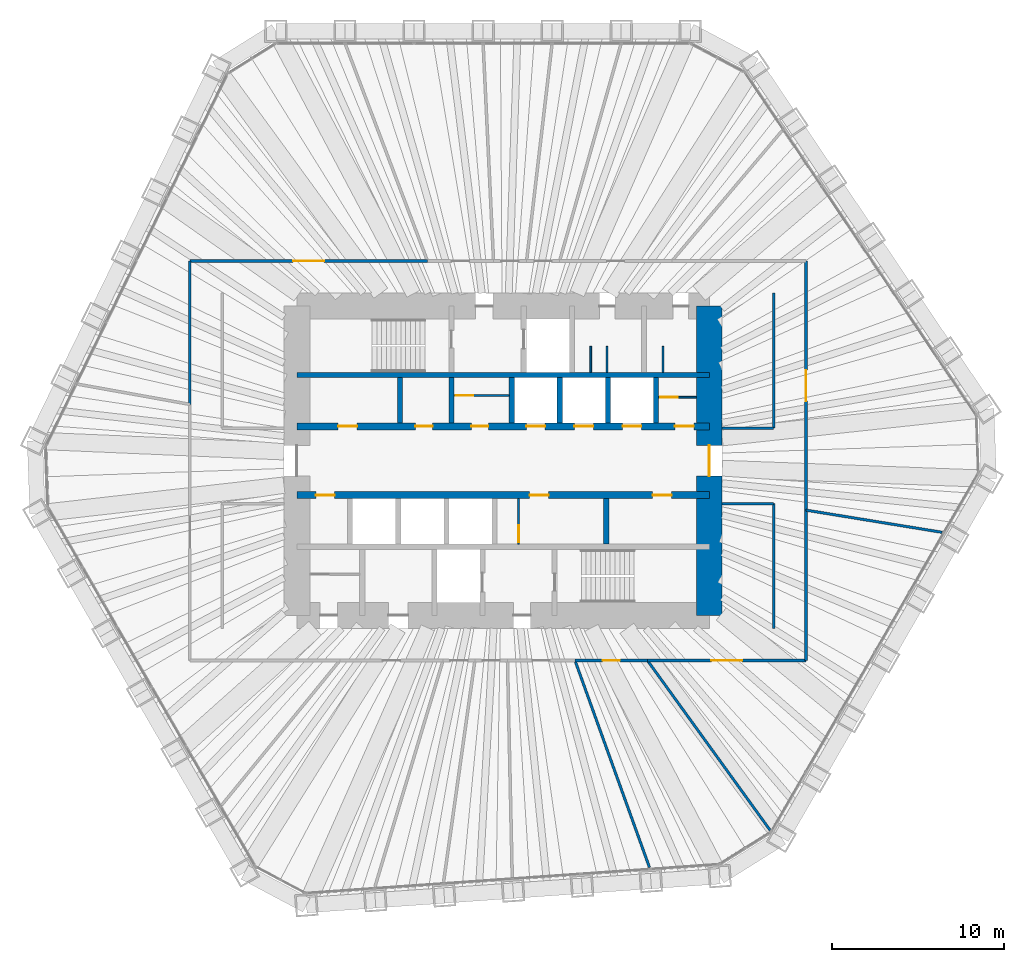
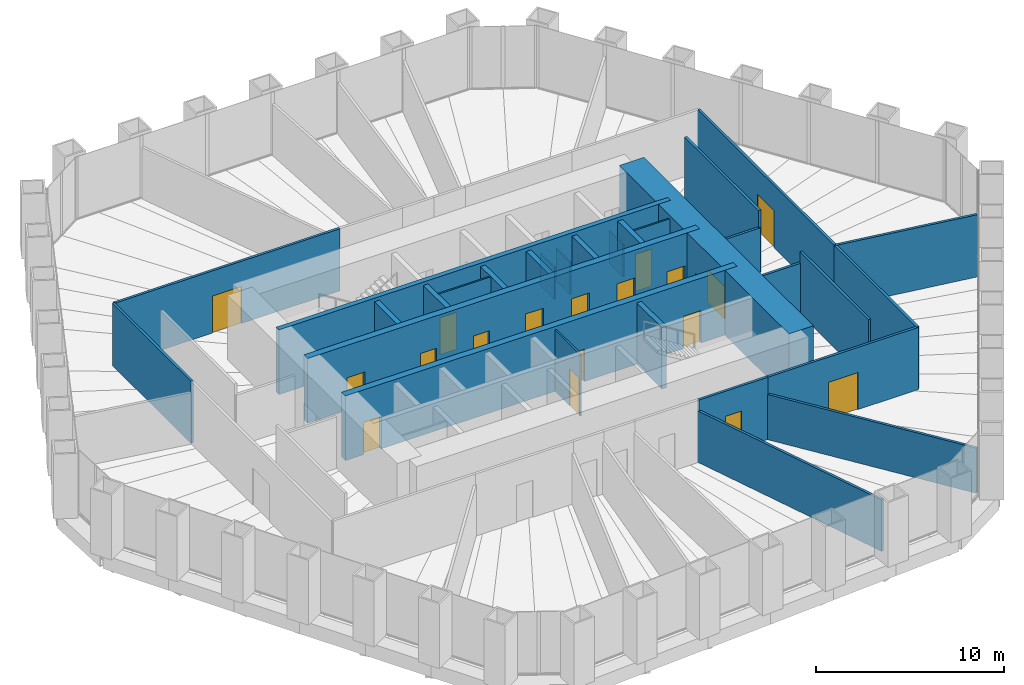
# One storey, part 10 of 12: 30 walls, 18 doors, 18 openings.
"""IFC4 building model written with IfcOpenShell, lengths in metres."""

from ifc_helpers import new_model, si_unit, direction, frame, frame_2d, origin, place, context, subcontext, project, spatial, rectangle, extrude, material, layer, layer_set, type_object, element, fill, save


model = new_model("IFC4")

# Units and contexts
model_context = context("Model", 3, precision=1e-05, world=origin(), true_north=direction((0.0, 1.0)))
body_context = subcontext(model_context, "Body", "Model", "MODEL_VIEW")
ifc_project = project(units=[si_unit("LENGTHUNIT", "METRE"), si_unit("AREAUNIT", "SQUARE_METRE"), si_unit("VOLUMEUNIT", "CUBIC_METRE"), si_unit("PLANEANGLEUNIT", "RADIAN"), si_unit("MASSUNIT", "GRAM", prefix="KILO")], contexts=[model_context])

# Site, building, storey
site_placement = place(None, origin())
site = spatial("IfcSite", under=ifc_project, at=site_placement, CompositionType="ELEMENT")
building_placement = place(site_placement, origin())
building = spatial("IfcBuilding", under=site, at=building_placement, Name="Qingtian Harvest Tower", CompositionType="ELEMENT")
storey_placement = place(building_placement, frame((0.0, 0.0, 107.199951171875)))
storey = spatial("IfcBuildingStorey", under=building, at=storey_placement, Name="L21", CompositionType="ELEMENT", Elevation=107.199951171875)

# Wall
ifc_material_1 = material(Name="Concrete fc' 70 MPa", Category="concrete")
ifc_layer_1 = layer(ifc_material_1, 0.300048828125)
ifc_layer_set_1 = layer_set([ifc_layer_1], Name="Core inner wall RC5 300")
wall_type_1 = type_object("IfcWallType", Name="Core inner wall RC5 300", PredefinedType="SHEAR", material=ifc_layer_set_1)
wall_1_placement = place(storey_placement, frame((-12.0, 5.0, 0.0), z_axis=(0.0, 0.0, 1.0), x_axis=(1.0, 0.0, 0.0)))
element("IfcWall", 1, at=wall_1_placement, inside=storey, type_object=wall_type_1, Name="Core wall IN5 L21", PredefinedType="SHEAR", context=body_context, shape_type="SweptSolid", body=[
    extrude(rectangle(XDim=24.0, YDim=0.300048828125, at=frame_2d((12.0, 0.0))), origin(), (0.0, 0.0, 1.0), 4.199951171875),
])

# Wall, openings, doors
ifc_material_2 = material(Name="Concrete fc' 70 MPa", Category="concrete")
ifc_layer_2 = layer(ifc_material_2, 0.39990234375)
ifc_layer_set_2 = layer_set([ifc_layer_2], Name="Core inner web RC6 400")
wall_type_2 = type_object("IfcWallType", Name="Core inner web RC6 400", PredefinedType="SHEAR", material=ifc_layer_set_2)
wall_2_placement = place(storey_placement, frame((-12.0, 2.0, 0.0), z_axis=(0.0, 0.0, 1.0), x_axis=(1.0, 0.0, 0.0)))
wall_2 = element("IfcWall", 2, at=wall_2_placement, inside=storey, type_object=wall_type_2, Name="Core wall IN2 L21", PredefinedType="SHEAR", context=body_context, shape_type="SweptSolid", body=[
    extrude(rectangle(XDim=24.0, YDim=0.39990234375, at=frame_2d((12.0, 0.0))), origin(), (0.0, 0.0, 1.0), 4.199951171875),
])
opening_1_placement = place(wall_2_placement, frame((2.39990234375, 0.0, 0.0)))
opening_1 = element("IfcOpeningElement", 3, at=opening_1_placement, cuts=wall_2, Name="Opening FD4", PredefinedType="OPENING", context=body_context, shape_type="SweptSolid", body=[
    extrude(rectangle(XDim=1.10009765625, YDim=2.10009765625, at=frame_2d((0.550048828125, 1.050048828125))), frame((0.0, 0.2099609375, 0.0), z_axis=(0.0, -1.0, 0.0), x_axis=(1.0, 0.0, 0.0)), (0.0, 0.0, 1.0), 0.419921875),
])
opening_2_placement = place(wall_2_placement, frame((22.0, 0.0, 0.0)))
opening_2 = element("IfcOpeningElement", 4, at=opening_2_placement, cuts=wall_2, Name="Opening FD4", PredefinedType="OPENING", context=body_context, shape_type="SweptSolid", body=[
    extrude(rectangle(XDim=1.10009765625, YDim=2.10009765625, at=frame_2d((0.550048828125, 1.050048828125))), frame((0.0, 0.2099609375, 0.0), z_axis=(0.0, -1.0, 0.0), x_axis=(1.0, 0.0, 0.0)), (0.0, 0.0, 1.0), 0.419921875),
])
opening_3_placement = place(wall_2_placement, frame((10.14990234375, 0.0, 0.0)))
opening_3 = element("IfcOpeningElement", 5, at=opening_3_placement, cuts=wall_2, Name="Opening FD1", PredefinedType="OPENING", context=body_context, shape_type="SweptSolid", body=[
    extrude(rectangle(XDim=1.0, YDim=2.10009765625, at=frame_2d((0.5, 1.050048828125))), frame((0.0, 0.2099609375, 0.0), z_axis=(0.0, -1.0, 0.0), x_axis=(1.0, 0.0, 0.0)), (0.0, 0.0, 1.0), 0.419921875),
])
opening_4_placement = place(wall_2_placement, frame((6.89990234375, 0.0, 0.0)))
opening_4 = element("IfcOpeningElement", 6, at=opening_4_placement, cuts=wall_2, Name="Opening FD1", PredefinedType="OPENING", context=body_context, shape_type="SweptSolid", body=[
    extrude(rectangle(XDim=1.0, YDim=2.10009765625, at=frame_2d((0.5, 1.050048828125))), frame((0.0, 0.2099609375, 0.0), z_axis=(0.0, -1.0, 0.0), x_axis=(1.0, 0.0, 0.0)), (0.0, 0.0, 1.0), 0.419921875),
])
opening_5_placement = place(wall_2_placement, frame((13.35009765625, 0.0, 0.0)))
opening_5 = element("IfcOpeningElement", 7, at=opening_5_placement, cuts=wall_2, Name="Opening LD1", PredefinedType="OPENING", context=body_context, shape_type="SweptSolid", body=[
    extrude(rectangle(XDim=1.10009765625, YDim=2.39990234375, at=frame_2d((0.550048828125, 1.199951171875))), frame((0.0, 0.2099609375, 0.0), z_axis=(0.0, -1.0, 0.0), x_axis=(1.0, 0.0, 0.0)), (0.0, 0.0, 1.0), 0.419921875),
])
opening_6_placement = place(wall_2_placement, frame((16.14990234375, 0.0, 0.0)))
opening_6 = element("IfcOpeningElement", 8, at=opening_6_placement, cuts=wall_2, Name="Opening LD1", PredefinedType="OPENING", context=body_context, shape_type="SweptSolid", body=[
    extrude(rectangle(XDim=1.10009765625, YDim=2.39990234375, at=frame_2d((0.550048828125, 1.199951171875))), frame((0.0, 0.2099609375, 0.0), z_axis=(0.0, -1.0, 0.0), x_axis=(1.0, 0.0, 0.0)), (0.0, 0.0, 1.0), 0.419921875),
])
opening_7_placement = place(wall_2_placement, frame((18.949951171875, 0.0, 0.0)))
opening_7 = element("IfcOpeningElement", 9, at=opening_7_placement, cuts=wall_2, Name="Opening LD1", PredefinedType="OPENING", context=body_context, shape_type="SweptSolid", body=[
    extrude(rectangle(XDim=1.10009765625, YDim=2.39990234375, at=frame_2d((0.550048828125, 1.199951171875))), frame((0.0, 0.2099609375, 0.0), z_axis=(0.0, -1.0, 0.0), x_axis=(1.0, 0.0, 0.0)), (0.0, 0.0, 1.0), 0.419921875),
])
ifc_material_3 = material(Name="Steel-faced door leaf", Category="steel")
door_type_1 = type_object("IfcDoorType", Name="Fire door FD1 single 1 HR", OperationType="SINGLE_SWING_LEFT", PredefinedType="DOOR", material=ifc_material_3)
door_1_placement = place(opening_3_placement, origin())
door_1 = element("IfcDoor", 10, at=door_1_placement, inside=storey, type_object=door_type_1, Name="STA door L21", OperationType="SINGLE_SWING_RIGHT", OverallHeight=2.10009765625, OverallWidth=1.0, PredefinedType="DOOR", context=body_context, shape_type="SweptSolid", body=[
    extrude(rectangle(XDim=1.0, YDim=2.10009765625, at=frame_2d((0.5, 1.050048828125))), frame((0.0, 0.02490234375, 0.0), z_axis=(0.0, -1.0, 0.0), x_axis=(1.0, 0.0, 0.0)), (0.0, 0.0, 1.0), 0.050048828125),
])
fill(opening_3, door_1)
door_2_placement = place(opening_4_placement, origin())
door_2 = element("IfcDoor", 11, at=door_2_placement, inside=storey, type_object=door_type_1, Name="Pantry door L21", OperationType="SINGLE_SWING_RIGHT", OverallHeight=2.10009765625, OverallWidth=1.0, PredefinedType="DOOR", context=body_context, shape_type="SweptSolid", body=[
    extrude(rectangle(XDim=1.0, YDim=2.10009765625, at=frame_2d((0.5, 1.050048828125))), frame((0.0, 0.02490234375, 0.0), z_axis=(0.0, -1.0, 0.0), x_axis=(1.0, 0.0, 0.0)), (0.0, 0.0, 1.0), 0.050048828125),
])
fill(opening_4, door_2)
ifc_material_4 = material(Name="Steel-faced door leaf", Category="steel")
door_type_2 = type_object("IfcDoorType", Name="Fire door FD4 single 2 HR", OperationType="SINGLE_SWING_LEFT", PredefinedType="DOOR", material=ifc_material_4)
door_3_placement = place(opening_1_placement, origin())
door_3 = element("IfcDoor", 12, at=door_3_placement, inside=storey, type_object=door_type_2, Name="RA door L21", OperationType="SINGLE_SWING_LEFT", OverallHeight=2.10009765625, OverallWidth=1.10009765625, PredefinedType="DOOR", context=body_context, shape_type="SweptSolid", body=[
    extrude(rectangle(XDim=1.10009765625, YDim=2.10009765625, at=frame_2d((0.550048828125, 1.050048828125))), frame((0.0, 0.02490234375, 0.0), z_axis=(0.0, -1.0, 0.0), x_axis=(1.0, 0.0, 0.0)), (0.0, 0.0, 1.0), 0.050048828125),
])
fill(opening_1, door_3)
door_4_placement = place(opening_2_placement, origin())
door_4 = element("IfcDoor", 13, at=door_4_placement, inside=storey, type_object=door_type_2, Name="AHU door L21", OperationType="SINGLE_SWING_LEFT", OverallHeight=2.10009765625, OverallWidth=1.10009765625, PredefinedType="DOOR", context=body_context, shape_type="SweptSolid", body=[
    extrude(rectangle(XDim=1.10009765625, YDim=2.10009765625, at=frame_2d((0.550048828125, 1.050048828125))), frame((0.0, 0.02490234375, 0.0), z_axis=(0.0, -1.0, 0.0), x_axis=(1.0, 0.0, 0.0)), (0.0, 0.0, 1.0), 0.050048828125),
])
fill(opening_2, door_4)
ifc_material_5 = material(Name="Stainless steel lift landing door", Category="steel")
door_type_3 = type_object("IfcDoorType", Name="Lift landing door LD1 1 HR", OperationType="DOUBLE_DOOR_SLIDING", PredefinedType="DOOR", material=ifc_material_5)
door_5_placement = place(opening_5_placement, origin())
door_5 = element("IfcDoor", 14, at=door_5_placement, inside=storey, type_object=door_type_3, Name="PLB1 landing door L21", OperationType="DOUBLE_DOOR_SLIDING", OverallHeight=2.39990234375, OverallWidth=1.10009765625, PredefinedType="DOOR", context=body_context, shape_type="SweptSolid", body=[
    extrude(rectangle(XDim=1.10009765625, YDim=2.39990234375, at=frame_2d((0.550048828125, 1.199951171875))), frame((0.0, 0.02490234375, 0.0), z_axis=(0.0, -1.0, 0.0), x_axis=(1.0, 0.0, 0.0)), (0.0, 0.0, 1.0), 0.050048828125),
])
fill(opening_5, door_5)
door_6_placement = place(opening_6_placement, origin())
door_6 = element("IfcDoor", 15, at=door_6_placement, inside=storey, type_object=door_type_3, Name="PLB2 landing door L21", OperationType="DOUBLE_DOOR_SLIDING", OverallHeight=2.39990234375, OverallWidth=1.10009765625, PredefinedType="DOOR", context=body_context, shape_type="SweptSolid", body=[
    extrude(rectangle(XDim=1.10009765625, YDim=2.39990234375, at=frame_2d((0.550048828125, 1.199951171875))), frame((0.0, 0.02490234375, 0.0), z_axis=(0.0, -1.0, 0.0), x_axis=(1.0, 0.0, 0.0)), (0.0, 0.0, 1.0), 0.050048828125),
])
fill(opening_6, door_6)
door_7_placement = place(opening_7_placement, origin())
door_7 = element("IfcDoor", 16, at=door_7_placement, inside=storey, type_object=door_type_3, Name="PLB3 landing door L21", OperationType="DOUBLE_DOOR_SLIDING", OverallHeight=2.39990234375, OverallWidth=1.10009765625, PredefinedType="DOOR", context=body_context, shape_type="SweptSolid", body=[
    extrude(rectangle(XDim=1.10009765625, YDim=2.39990234375, at=frame_2d((0.550048828125, 1.199951171875))), frame((0.0, 0.02490234375, 0.0), z_axis=(0.0, -1.0, 0.0), x_axis=(1.0, 0.0, 0.0)), (0.0, 0.0, 1.0), 0.050048828125),
])
fill(opening_7, door_7)

wall_3_placement = place(storey_placement, frame((-12.0, -2.0, 0.0), z_axis=(0.0, 0.0, 1.0), x_axis=(1.0, 0.0, 0.0)))
wall_3 = element("IfcWall", 17, at=wall_3_placement, inside=storey, type_object=wall_type_2, Name="Core wall IS2 L21", PredefinedType="SHEAR", context=body_context, shape_type="SweptSolid", body=[
    extrude(rectangle(XDim=24.0, YDim=0.39990234375, at=frame_2d((12.0, 0.0))), origin(), (0.0, 0.0, 1.0), 4.199951171875),
])
opening_8_placement = place(wall_3_placement, frame((1.10009765625, 0.0, 0.0)))
opening_8 = element("IfcOpeningElement", 18, at=opening_8_placement, cuts=wall_3, Name="Opening FD4", PredefinedType="OPENING", context=body_context, shape_type="SweptSolid", body=[
    extrude(rectangle(XDim=1.10009765625, YDim=2.10009765625, at=frame_2d((0.550048828125, 1.050048828125))), frame((0.0, 0.2099609375, 0.0), z_axis=(0.0, -1.0, 0.0), x_axis=(1.0, 0.0, 0.0)), (0.0, 0.0, 1.0), 0.419921875),
])
opening_9_placement = place(wall_3_placement, frame((13.550048828125, 0.0, 0.0)))
opening_9 = element("IfcOpeningElement", 19, at=opening_9_placement, cuts=wall_3, Name="Opening FD4", PredefinedType="OPENING", context=body_context, shape_type="SweptSolid", body=[
    extrude(rectangle(XDim=1.10009765625, YDim=2.10009765625, at=frame_2d((0.550048828125, 1.050048828125))), frame((0.0, 0.2099609375, 0.0), z_axis=(0.0, -1.0, 0.0), x_axis=(1.0, 0.0, 0.0)), (0.0, 0.0, 1.0), 0.419921875),
])
opening_10_placement = place(wall_3_placement, frame((20.699951171875, 0.0, 0.0)))
opening_10 = element("IfcOpeningElement", 20, at=opening_10_placement, cuts=wall_3, Name="Opening FD4", PredefinedType="OPENING", context=body_context, shape_type="SweptSolid", body=[
    extrude(rectangle(XDim=1.10009765625, YDim=2.10009765625, at=frame_2d((0.550048828125, 1.050048828125))), frame((0.0, 0.2099609375, 0.0), z_axis=(0.0, -1.0, 0.0), x_axis=(1.0, 0.0, 0.0)), (0.0, 0.0, 1.0), 0.419921875),
])
door_8_placement = place(opening_8_placement, origin())
door_8 = element("IfcDoor", 21, at=door_8_placement, inside=storey, type_object=door_type_2, Name="RB door L21", OperationType="SINGLE_SWING_LEFT", OverallHeight=2.10009765625, OverallWidth=1.10009765625, PredefinedType="DOOR", context=body_context, shape_type="SweptSolid", body=[
    extrude(rectangle(XDim=1.10009765625, YDim=2.10009765625, at=frame_2d((0.550048828125, 1.050048828125))), frame((0.0, 0.02490234375, 0.0), z_axis=(0.0, -1.0, 0.0), x_axis=(1.0, 0.0, 0.0)), (0.0, 0.0, 1.0), 0.050048828125),
])
fill(opening_8, door_8)
door_9_placement = place(opening_9_placement, origin())
door_9 = element("IfcDoor", 22, at=door_9_placement, inside=storey, type_object=door_type_2, Name="ELEC door L21", OperationType="SINGLE_SWING_LEFT", OverallHeight=2.10009765625, OverallWidth=1.10009765625, PredefinedType="DOOR", context=body_context, shape_type="SweptSolid", body=[
    extrude(rectangle(XDim=1.10009765625, YDim=2.10009765625, at=frame_2d((0.550048828125, 1.050048828125))), frame((0.0, 0.02490234375, 0.0), z_axis=(0.0, -1.0, 0.0), x_axis=(1.0, 0.0, 0.0)), (0.0, 0.0, 1.0), 0.050048828125),
])
fill(opening_9, door_9)
door_10_placement = place(opening_10_placement, origin())
door_10 = element("IfcDoor", 23, at=door_10_placement, inside=storey, type_object=door_type_2, Name="DUCT door L21", OperationType="SINGLE_SWING_RIGHT", OverallHeight=2.10009765625, OverallWidth=1.10009765625, PredefinedType="DOOR", context=body_context, shape_type="SweptSolid", body=[
    extrude(rectangle(XDim=1.10009765625, YDim=2.10009765625, at=frame_2d((0.550048828125, 1.050048828125))), frame((0.0, 0.02490234375, 0.0), z_axis=(0.0, -1.0, 0.0), x_axis=(1.0, 0.0, 0.0)), (0.0, 0.0, 1.0), 0.050048828125),
])
fill(opening_10, door_10)

# Walls
ifc_material_6 = material(Name="Precast concrete shaft panel", Category="concrete")
ifc_layer_3 = layer(ifc_material_6, 0.300048828125)
ifc_layer_set_3 = layer_set([ifc_layer_3], Name="Core shaft partition SW1 300")
wall_type_3 = type_object("IfcWallType", Name="Core shaft partition SW1 300", PredefinedType="PARTITIONING", material=ifc_layer_set_3)
for number, where, z_axis, x_axis, name in (
    (24, (-6.0, 2.199951171875, 0.0), (0.0, 0.0, 1.0), (0.0, 1.0, 0.0), "Core shaft partition XA1 L21"),
    (25, (-3.0, 2.199951171875, 0.0), (0.0, 0.0, 1.0), (0.0, 1.0, 0.0), "Core shaft partition XA2 L21"),
    (26, (0.5, 2.199951171875, 0.0), (0.0, 0.0, 1.0), (0.0, 1.0, 0.0), "Core shaft partition XA3 L21"),
    (27, (3.300048828125, 2.199951171875, 0.0), (0.0, 0.0, 1.0), (0.0, 1.0, 0.0), "Core shaft partition XA4 L21"),
    (28, (6.10009765625, 2.199951171875, 0.0), (0.0, 0.0, 1.0), (0.0, 1.0, 0.0), "Core shaft partition XA5 L21"),
    (29, (8.89990234375, 2.199951171875, 0.0), (0.0, 0.0, 1.0), (0.0, 1.0, 0.0), "Core shaft partition XA6 L21"),
    (30, (6.0, -4.85009765625, 0.0), (0.0, 0.0, 1.0), (0.0, 1.0, 0.0), "Core shaft partition XB5 L21"),
):
    element("IfcWall", number, at=place(storey_placement, frame(where, z_axis=z_axis, x_axis=x_axis)), inside=storey, type_object=wall_type_3, Name=name, PredefinedType="PARTITIONING", context=body_context, shape_type="SweptSolid", body=[
        extrude(rectangle(XDim=2.650146484375, YDim=0.300048828125, at=frame_2d((1.3251953125, 0.0))), origin(), (0.0, 0.0, 1.0), 3.97998046875),
    ])

# Wall, opening, door
ifc_material_7 = material(Name="Concrete fc' 70 MPa", Category="concrete")
ifc_layer_4 = layer(ifc_material_7, 1.5)
ifc_layer_set_4 = layer_set([ifc_layer_4], Name="Core wall RC1 1500")
wall_type_4 = type_object("IfcWallType", Name="Core wall RC1 1500", PredefinedType="SHEAR", material=ifc_layer_set_4)
wall_4_placement = place(storey_placement, frame((12.0, -9.0, 0.0), z_axis=(0.0, 0.0, 1.0), x_axis=(0.0, 1.0, 0.0)))
wall_4 = element("IfcWall", 31, at=wall_4_placement, inside=storey, type_object=wall_type_4, Name="Core wall CE L21", PredefinedType="SHEAR", context=body_context, shape_type="SweptSolid", body=[
    extrude(rectangle(XDim=18.0, YDim=1.5, at=frame_2d((9.0, 0.0))), origin(), (0.0, 0.0, 1.0), 4.199951171875),
])
opening_11_placement = place(wall_4_placement, frame((8.10009765625, 0.0, 0.0)))
opening_11 = element("IfcOpeningElement", 32, at=opening_11_placement, cuts=wall_4, Name="Opening FD2", PredefinedType="OPENING", context=body_context, shape_type="SweptSolid", body=[
    extrude(rectangle(XDim=1.800048828125, YDim=2.10009765625, at=frame_2d((0.89990234375, 1.050048828125))), frame((0.0, 0.760009765625, 0.0), z_axis=(0.0, -1.0, 0.0), x_axis=(1.0, 0.0, 0.0)), (0.0, 0.0, 1.0), 1.52001953125),
])
ifc_material_8 = material(Name="Steel-faced door leaf", Category="steel")
door_type_4 = type_object("IfcDoorType", Name="Fire door FD2 double 1 HR", OperationType="DOUBLE_DOOR_DOUBLE_SWING", PredefinedType="DOOR", material=ifc_material_8)
door_11_placement = place(opening_11_placement, origin())
door_11 = element("IfcDoor", 33, at=door_11_placement, inside=storey, type_object=door_type_4, Name="LOBBY-E door L21", OperationType="DOUBLE_DOOR_DOUBLE_SWING", OverallHeight=2.10009765625, OverallWidth=1.800048828125, PredefinedType="DOOR", context=body_context, shape_type="SweptSolid", body=[
    extrude(rectangle(XDim=1.800048828125, YDim=2.10009765625, at=frame_2d((0.89990234375, 1.050048828125))), frame((0.0, 0.02490234375, 0.0), z_axis=(0.0, -1.0, 0.0), x_axis=(1.0, 0.0, 0.0)), (0.0, 0.0, 1.0), 0.050048828125),
])
fill(opening_11, door_11)

# Wall
ifc_material_9 = material(Name="Gypsum board on steel studs", Category="steel")
ifc_layer_5 = layer(ifc_material_9, 0.14990234375)
ifc_layer_set_5 = layer_set([ifc_layer_5], Name="Partition PT1 150")
wall_type_5 = type_object("IfcWallType", Name="Partition PT1 150", PredefinedType="PARTITIONING", material=ifc_layer_set_5)
wall_5_placement = place(storey_placement, frame((-18.22509765625, 3.281005859375, 0.0), z_axis=(0.0, 0.0, 1.0), x_axis=(0.0, 1.0, 0.0)))
element("IfcWall", 34, at=wall_5_placement, inside=storey, type_object=wall_type_5, Name="Office suite wall L21", PredefinedType="PARTITIONING", context=body_context, shape_type="SweptSolid", body=[
    extrude(rectangle(XDim=8.343994140625, YDim=0.14990234375, at=frame_2d((4.171875, 0.0))), origin(), (0.0, 0.0, 1.0), 4.030029296875),
])

# Wall, opening, door
wall_6_placement = place(storey_placement, frame((-18.22509765625, 11.625, 0.0), z_axis=(0.0, 0.0, 1.0), x_axis=(1.0, 0.0, 0.0)))
wall_6 = element("IfcWall", 35, at=wall_6_placement, inside=storey, type_object=wall_type_5, Name="Office suite wall L21", PredefinedType="PARTITIONING", context=body_context, shape_type="SweptSolid", body=[
    extrude(rectangle(XDim=13.822509765625, YDim=0.14990234375, at=frame_2d((6.9111328125, 0.0))), origin(), (0.0, 0.0, 1.0), 4.030029296875),
])
opening_12_placement = place(wall_6_placement, frame((6.01123046875, 0.0, 0.0)))
opening_12 = element("IfcOpeningElement", 36, at=opening_12_placement, cuts=wall_6, Name="Opening D3", PredefinedType="OPENING", context=body_context, shape_type="SweptSolid", body=[
    extrude(rectangle(XDim=1.800048828125, YDim=2.39990234375, at=frame_2d((0.89990234375, 1.199951171875))), frame((0.0, 0.0849609375, 0.0), z_axis=(0.0, -1.0, 0.0), x_axis=(1.0, 0.0, 0.0)), (0.0, 0.0, 1.0), 0.169921875),
])
ifc_material_10 = material(Name="Laminated timber door leaf", Category="wood")
door_type_5 = type_object("IfcDoorType", Name="Room door D3 double", OperationType="DOUBLE_DOOR_DOUBLE_SWING", PredefinedType="DOOR", material=ifc_material_10)
door_12_placement = place(opening_12_placement, origin())
door_12 = element("IfcDoor", 37, at=door_12_placement, inside=storey, type_object=door_type_5, Name="Office suite door L21", OperationType="DOUBLE_DOOR_DOUBLE_SWING", OverallHeight=2.39990234375, OverallWidth=1.800048828125, PredefinedType="DOOR", context=body_context, shape_type="SweptSolid", body=[
    extrude(rectangle(XDim=1.800048828125, YDim=2.39990234375, at=frame_2d((0.89990234375, 1.199951171875))), frame((0.0, 0.02490234375, 0.0), z_axis=(0.0, -1.0, 0.0), x_axis=(1.0, 0.0, 0.0)), (0.0, 0.0, 1.0), 0.050048828125),
])
fill(opening_12, door_12)

wall_7_placement = place(storey_placement, frame((17.625, 11.625, 0.0), z_axis=(0.0, 0.0, 1.0), x_axis=(0.0, -1.0, 0.0)))
wall_7 = element("IfcWall", 38, at=wall_7_placement, inside=storey, type_object=wall_type_5, Name="Office suite wall L21", PredefinedType="PARTITIONING", context=body_context, shape_type="SweptSolid", body=[
    extrude(rectangle(XDim=14.497802734375, YDim=0.14990234375, at=frame_2d((7.2490234375, 0.0))), origin(), (0.0, 0.0, 1.0), 4.030029296875),
])
opening_13_placement = place(wall_7_placement, frame((6.348876953125, 0.0, 0.0)))
opening_13 = element("IfcOpeningElement", 39, at=opening_13_placement, cuts=wall_7, Name="Opening D3", PredefinedType="OPENING", context=body_context, shape_type="SweptSolid", body=[
    extrude(rectangle(XDim=1.800048828125, YDim=2.39990234375, at=frame_2d((0.89990234375, 1.199951171875))), frame((0.0, 0.0849609375, 0.0), z_axis=(0.0, -1.0, 0.0), x_axis=(1.0, 0.0, 0.0)), (0.0, 0.0, 1.0), 0.169921875),
])
door_13_placement = place(opening_13_placement, origin())
door_13 = element("IfcDoor", 40, at=door_13_placement, inside=storey, type_object=door_type_5, Name="Office suite door L21", OperationType="DOUBLE_DOOR_DOUBLE_SWING", OverallHeight=2.39990234375, OverallWidth=1.800048828125, PredefinedType="DOOR", context=body_context, shape_type="SweptSolid", body=[
    extrude(rectangle(XDim=1.800048828125, YDim=2.39990234375, at=frame_2d((0.89990234375, 1.199951171875))), frame((0.0, 0.02490234375, 0.0), z_axis=(0.0, -1.0, 0.0), x_axis=(1.0, 0.0, 0.0)), (0.0, 0.0, 1.0), 0.050048828125),
])
fill(opening_13, door_13)

# Walls
wall_8_placement = place(storey_placement, frame((25.547119140625, -4.1640625, 0.0), z_axis=(0.0, 0.0, 1.0), x_axis=(-0.986975392039, 0.160871301072, 0.0)))
element("IfcWall", 41, at=wall_8_placement, inside=storey, type_object=wall_type_5, Name="Office suite wall L21", PredefinedType="PARTITIONING", context=body_context, shape_type="SweptSolid", body=[
    extrude(rectangle(XDim=8.026611328125, YDim=0.14990234375, at=frame_2d((4.01318359375, 0.0))), origin(), (0.0, 0.0, 1.0), 4.030029296875),
])
wall_9_placement = place(storey_placement, frame((17.625, -2.872802734375, 0.0), z_axis=(0.0, 0.0, 1.0), x_axis=(0.0, -1.0, 0.0)))
element("IfcWall", 42, at=wall_9_placement, inside=storey, type_object=wall_type_5, Name="Office suite wall L21", PredefinedType="PARTITIONING", context=body_context, shape_type="SweptSolid", body=[
    extrude(rectangle(XDim=8.752197265625, YDim=0.14990234375, at=frame_2d((4.3759765625, 0.0))), origin(), (0.0, 0.0, 1.0), 4.030029296875),
])

# Wall, opening, door
wall_10_placement = place(storey_placement, frame((17.625, -11.625, 0.0), z_axis=(0.0, 0.0, 1.0), x_axis=(-1.0, 0.0, 0.0)))
wall_10 = element("IfcWall", 43, at=wall_10_placement, inside=storey, type_object=wall_type_5, Name="Office suite wall L21", PredefinedType="PARTITIONING", context=body_context, shape_type="SweptSolid", body=[
    extrude(rectangle(XDim=9.2236328125, YDim=0.14990234375, at=frame_2d((4.61181640625, 0.0))), origin(), (0.0, 0.0, 1.0), 4.030029296875),
])
opening_14_placement = place(wall_10_placement, frame((3.7119140625, 0.0, 0.0)))
opening_14 = element("IfcOpeningElement", 44, at=opening_14_placement, cuts=wall_10, Name="Opening D3", PredefinedType="OPENING", context=body_context, shape_type="SweptSolid", body=[
    extrude(rectangle(XDim=1.800048828125, YDim=2.39990234375, at=frame_2d((0.89990234375, 1.199951171875))), frame((0.0, 0.0849609375, 0.0), z_axis=(0.0, -1.0, 0.0), x_axis=(1.0, 0.0, 0.0)), (0.0, 0.0, 1.0), 0.169921875),
])
door_14_placement = place(opening_14_placement, origin())
door_14 = element("IfcDoor", 45, at=door_14_placement, inside=storey, type_object=door_type_5, Name="Office suite door L21", OperationType="DOUBLE_DOOR_DOUBLE_SWING", OverallHeight=2.39990234375, OverallWidth=1.800048828125, PredefinedType="DOOR", context=body_context, shape_type="SweptSolid", body=[
    extrude(rectangle(XDim=1.800048828125, YDim=2.39990234375, at=frame_2d((0.89990234375, 1.199951171875))), frame((0.0, 0.02490234375, 0.0), z_axis=(0.0, -1.0, 0.0), x_axis=(1.0, 0.0, 0.0)), (0.0, 0.0, 1.0), 0.050048828125),
])
fill(opening_14, door_14)

# Wall
wall_11_placement = place(storey_placement, frame((15.53955078125, -21.50244140625, 0.0), z_axis=(0.0, 0.0, 1.0), x_axis=(-0.585731902034, 0.810504866697, 0.0)))
element("IfcWall", 46, at=wall_11_placement, inside=storey, type_object=wall_type_5, Name="Focus room wall L21", PredefinedType="PARTITIONING", context=body_context, shape_type="SweptSolid", body=[
    extrude(rectangle(XDim=12.186767578125, YDim=0.14990234375, at=frame_2d((6.09326171875, 0.0))), origin(), (0.0, 0.0, 1.0), 2.929931640625),
])

# Wall, opening, door
wall_12_placement = place(storey_placement, frame((8.4013671875, -11.625, 0.0), z_axis=(0.0, 0.0, 1.0), x_axis=(-1.0, 0.0, 0.0)))
wall_12 = element("IfcWall", 47, at=wall_12_placement, inside=storey, type_object=wall_type_5, Name="Focus room wall L21", PredefinedType="PARTITIONING", context=body_context, shape_type="SweptSolid", body=[
    extrude(rectangle(XDim=4.21728515625, YDim=0.14990234375, at=frame_2d((2.108642578125, 0.0))), origin(), (0.0, 0.0, 1.0), 4.030029296875),
])
opening_15_placement = place(wall_12_placement, frame((1.608642578125, 0.0, 0.0)))
opening_15 = element("IfcOpeningElement", 48, at=opening_15_placement, cuts=wall_12, Name="Opening D2", PredefinedType="OPENING", context=body_context, shape_type="SweptSolid", body=[
    extrude(rectangle(XDim=1.0, YDim=2.39990234375, at=frame_2d((0.5, 1.199951171875))), frame((0.0, 0.0849609375, 0.0), z_axis=(0.0, -1.0, 0.0), x_axis=(1.0, 0.0, 0.0)), (0.0, 0.0, 1.0), 0.169921875),
])
ifc_material_11 = material(Name="Laminated timber door leaf", Category="wood")
door_type_6 = type_object("IfcDoorType", Name="Room door D2 single", OperationType="SINGLE_SWING_LEFT", PredefinedType="DOOR", material=ifc_material_11)
door_15_placement = place(opening_15_placement, origin())
door_15 = element("IfcDoor", 49, at=door_15_placement, inside=storey, type_object=door_type_6, Name="Focus room door L21", OperationType="SINGLE_SWING_LEFT", OverallHeight=2.39990234375, OverallWidth=1.0, PredefinedType="DOOR", context=body_context, shape_type="SweptSolid", body=[
    extrude(rectangle(XDim=1.0, YDim=2.39990234375, at=frame_2d((0.5, 1.199951171875))), frame((0.0, 0.02490234375, 0.0), z_axis=(0.0, -1.0, 0.0), x_axis=(1.0, 0.0, 0.0)), (0.0, 0.0, 1.0), 0.050048828125),
])
fill(opening_15, door_15)

# Walls
wall_13_placement = place(storey_placement, frame((8.51806640625, -23.667236328125, 0.0), z_axis=(0.0, 0.0, 1.0), x_axis=(-0.338635030469, 0.940917805198, 0.0)))
element("IfcWall", 50, at=wall_13_placement, inside=storey, type_object=wall_type_5, Name="Print room wall L21", PredefinedType="PARTITIONING", context=body_context, shape_type="SweptSolid", body=[
    extrude(rectangle(XDim=12.79833984375, YDim=0.14990234375, at=frame_2d((6.399169921875, 0.0))), origin(), (0.0, 0.0, 1.0), 3.330078125),
])
wall_14_placement = place(storey_placement, frame((15.75, 1.89990234375, 0.0), z_axis=(0.0, 0.0, 1.0), x_axis=(0.0, 1.0, 0.0)))
element("IfcWall", 51, at=wall_14_placement, inside=storey, type_object=wall_type_5, Name="Breakout space wall L21", PredefinedType="PARTITIONING", context=body_context, shape_type="SweptSolid", body=[
    extrude(rectangle(XDim=7.85009765625, YDim=0.14990234375, at=frame_2d((3.925048828125, 0.0))), origin(), (0.0, 0.0, 1.0), 4.030029296875),
])
wall_15_placement = place(storey_placement, frame((12.75, 1.89990234375, 0.0), z_axis=(0.0, 0.0, 1.0), x_axis=(1.0, 0.0, 0.0)))
element("IfcWall", 52, at=wall_15_placement, inside=storey, type_object=wall_type_5, Name="Breakout space wall L21", PredefinedType="PARTITIONING", context=body_context, shape_type="SweptSolid", body=[
    extrude(rectangle(XDim=3.0, YDim=0.14990234375, at=frame_2d((1.5, 0.0))), origin(), (0.0, 0.0, 1.0), 2.929931640625),
])
wall_16_placement = place(storey_placement, frame((15.75, -9.75, 0.0), z_axis=(0.0, 0.0, 1.0), x_axis=(0.0, 1.0, 0.0)))
element("IfcWall", 53, at=wall_16_placement, inside=storey, type_object=wall_type_5, Name="Print area wall L21", PredefinedType="PARTITIONING", context=body_context, shape_type="SweptSolid", body=[
    extrude(rectangle(XDim=7.25, YDim=0.14990234375, at=frame_2d((3.625, 0.0))), origin(), (0.0, 0.0, 1.0), 4.030029296875),
])
wall_17_placement = place(storey_placement, frame((12.75, -2.5, 0.0), z_axis=(0.0, 0.0, 1.0), x_axis=(1.0, 0.0, 0.0)))
element("IfcWall", 54, at=wall_17_placement, inside=storey, type_object=wall_type_5, Name="Print area wall L21", PredefinedType="PARTITIONING", context=body_context, shape_type="SweptSolid", body=[
    extrude(rectangle(XDim=3.0, YDim=0.14990234375, at=frame_2d((1.5, 0.0))), origin(), (0.0, 0.0, 1.0), 3.330078125),
])

# Wall, opening, door
ifc_material_12 = material(Name="Concrete block partition", Category="concrete")
ifc_layer_6 = layer(ifc_material_12, 0.10009765625)
ifc_layer_set_6 = layer_set([ifc_layer_6], Name="Store partition PT3 100")
wall_type_6 = type_object("IfcWallType", Name="Store partition PT3 100", PredefinedType="PARTITIONING", material=ifc_layer_set_6)
wall_18_placement = place(storey_placement, frame((-2.85009765625, 3.800048828125, 0.0), z_axis=(0.0, 0.0, 1.0), x_axis=(1.0, 0.0, 0.0)))
wall_18 = element("IfcWall", 55, at=wall_18_placement, inside=storey, type_object=wall_type_6, Name="Archive store wall L21", PredefinedType="PARTITIONING", context=body_context, shape_type="SweptSolid", body=[
    extrude(rectangle(XDim=3.2001953125, YDim=0.10009765625, at=frame_2d((1.60009765625, 0.0))), origin(), (0.0, 0.0, 1.0), 3.97998046875),
])
opening_16_placement = place(wall_18_placement, frame((0.10009765625, 0.0, 0.0)))
opening_16 = element("IfcOpeningElement", 56, at=opening_16_placement, cuts=wall_18, Name="Opening D2", PredefinedType="OPENING", context=body_context, shape_type="SweptSolid", body=[
    extrude(rectangle(XDim=1.0, YDim=2.39990234375, at=frame_2d((0.5, 1.199951171875))), frame((0.0, 0.06005859375, 0.0), z_axis=(0.0, -1.0, 0.0), x_axis=(1.0, 0.0, 0.0)), (0.0, 0.0, 1.0), 0.1201171875),
])
door_16_placement = place(opening_16_placement, origin())
door_16 = element("IfcDoor", 57, at=door_16_placement, inside=storey, type_object=door_type_6, Name="Archive store door L21", OperationType="SINGLE_SWING_LEFT", OverallHeight=2.39990234375, OverallWidth=1.0, PredefinedType="DOOR", context=body_context, shape_type="SweptSolid", body=[
    extrude(rectangle(XDim=1.0, YDim=2.39990234375, at=frame_2d((0.5, 1.199951171875))), frame((0.0, 0.02490234375, 0.0), z_axis=(0.0, -1.0, 0.0), x_axis=(1.0, 0.0, 0.0)), (0.0, 0.0, 1.0), 0.050048828125),
])
fill(opening_16, door_16)

wall_19_placement = place(storey_placement, frame((0.89990234375, -4.85009765625, 0.0), z_axis=(0.0, 0.0, 1.0), x_axis=(0.0, 1.0, 0.0)))
wall_19 = element("IfcWall", 58, at=wall_19_placement, inside=storey, type_object=wall_type_6, Name="Comms room wall L21", PredefinedType="PARTITIONING", context=body_context, shape_type="SweptSolid", body=[
    extrude(rectangle(XDim=2.650146484375, YDim=0.10009765625, at=frame_2d((1.3251953125, 0.0))), origin(), (0.0, 0.0, 1.0), 3.97998046875),
])
opening_17_placement = place(wall_19_placement, frame((0.10009765625, 0.0, 0.0)))
opening_17 = element("IfcOpeningElement", 59, at=opening_17_placement, cuts=wall_19, Name="Opening D2", PredefinedType="OPENING", context=body_context, shape_type="SweptSolid", body=[
    extrude(rectangle(XDim=1.0, YDim=2.39990234375, at=frame_2d((0.5, 1.199951171875))), frame((0.0, 0.06005859375, 0.0), z_axis=(0.0, -1.0, 0.0), x_axis=(1.0, 0.0, 0.0)), (0.0, 0.0, 1.0), 0.1201171875),
])
door_17_placement = place(opening_17_placement, origin())
door_17 = element("IfcDoor", 60, at=door_17_placement, inside=storey, type_object=door_type_6, Name="Comms room door L21", OperationType="SINGLE_SWING_RIGHT", OverallHeight=2.39990234375, OverallWidth=1.0, PredefinedType="DOOR", context=body_context, shape_type="SweptSolid", body=[
    extrude(rectangle(XDim=1.0, YDim=2.39990234375, at=frame_2d((0.5, 1.199951171875))), frame((0.0, 0.02490234375, 0.0), z_axis=(0.0, -1.0, 0.0), x_axis=(1.0, 0.0, 0.0)), (0.0, 0.0, 1.0), 0.050048828125),
])
fill(opening_17, door_17)

wall_20_placement = place(storey_placement, frame((9.050048828125, 3.699951171875, 0.0), z_axis=(0.0, 0.0, 1.0), x_axis=(1.0, 0.0, 0.0)))
wall_20 = element("IfcWall", 61, at=wall_20_placement, inside=storey, type_object=wall_type_6, Name="Filter plant room wall L21", PredefinedType="PARTITIONING", context=body_context, shape_type="SweptSolid", body=[
    extrude(rectangle(XDim=2.199951171875, YDim=0.10009765625, at=frame_2d((1.10009765625, 0.0))), origin(), (0.0, 0.0, 1.0), 3.97998046875),
])
opening_18_placement = place(wall_20_placement, frame((0.10009765625, 0.0, 0.0)))
opening_18 = element("IfcOpeningElement", 62, at=opening_18_placement, cuts=wall_20, Name="Opening D2", PredefinedType="OPENING", context=body_context, shape_type="SweptSolid", body=[
    extrude(rectangle(XDim=1.0, YDim=2.39990234375, at=frame_2d((0.5, 1.199951171875))), frame((0.0, 0.06005859375, 0.0), z_axis=(0.0, -1.0, 0.0), x_axis=(1.0, 0.0, 0.0)), (0.0, 0.0, 1.0), 0.1201171875),
])
door_18_placement = place(opening_18_placement, origin())
door_18 = element("IfcDoor", 63, at=door_18_placement, inside=storey, type_object=door_type_6, Name="Filter plant room door L21", OperationType="SINGLE_SWING_RIGHT", OverallHeight=2.39990234375, OverallWidth=1.0, PredefinedType="DOOR", context=body_context, shape_type="SweptSolid", body=[
    extrude(rectangle(XDim=1.0, YDim=2.39990234375, at=frame_2d((0.5, 1.199951171875))), frame((0.0, 0.02490234375, 0.0), z_axis=(0.0, -1.0, 0.0), x_axis=(1.0, 0.0, 0.0)), (0.0, 0.0, 1.0), 0.050048828125),
])
fill(opening_18, door_18)

# Walls
ifc_material_13 = material(Name="Compact laminate cubicle partition", Category="plastic")
ifc_layer_7 = layer(ifc_material_13, 0.10009765625)
ifc_layer_set_7 = layer_set([ifc_layer_7], Name="WC cubicle partition WP1 100")
wall_type_7 = type_object("IfcWallType", Name="WC cubicle partition WP1 100", PredefinedType="PARTITIONING", material=ifc_layer_set_7)
for number, where, z_axis, x_axis, name in (
    (64, (5.10009765625, 5.14990234375, 0.0), (0.0, 0.0, 1.0), (0.0, 1.0, 0.0), "WC cubicle partition WCM L21"),
    (65, (6.050048828125, 5.14990234375, 0.0), (0.0, 0.0, 1.0), (0.0, 1.0, 0.0), "WC cubicle partition WCM L21"),
    (66, (9.300048828125, 5.14990234375, 0.0), (0.0, 0.0, 1.0), (0.0, 1.0, 0.0), "WC cubicle partition WCF L21"),
):
    element("IfcWall", number, at=place(storey_placement, frame(where, z_axis=z_axis, x_axis=x_axis)), inside=storey, type_object=wall_type_7, Name=name, PredefinedType="PARTITIONING", context=body_context, shape_type="SweptSolid", body=[
        extrude(rectangle(XDim=1.5, YDim=0.10009765625, at=frame_2d((0.75, 0.0))), origin(), (0.0, 0.0, 1.0), 2.10009765625),
    ])

save(model, "model.ifc")
